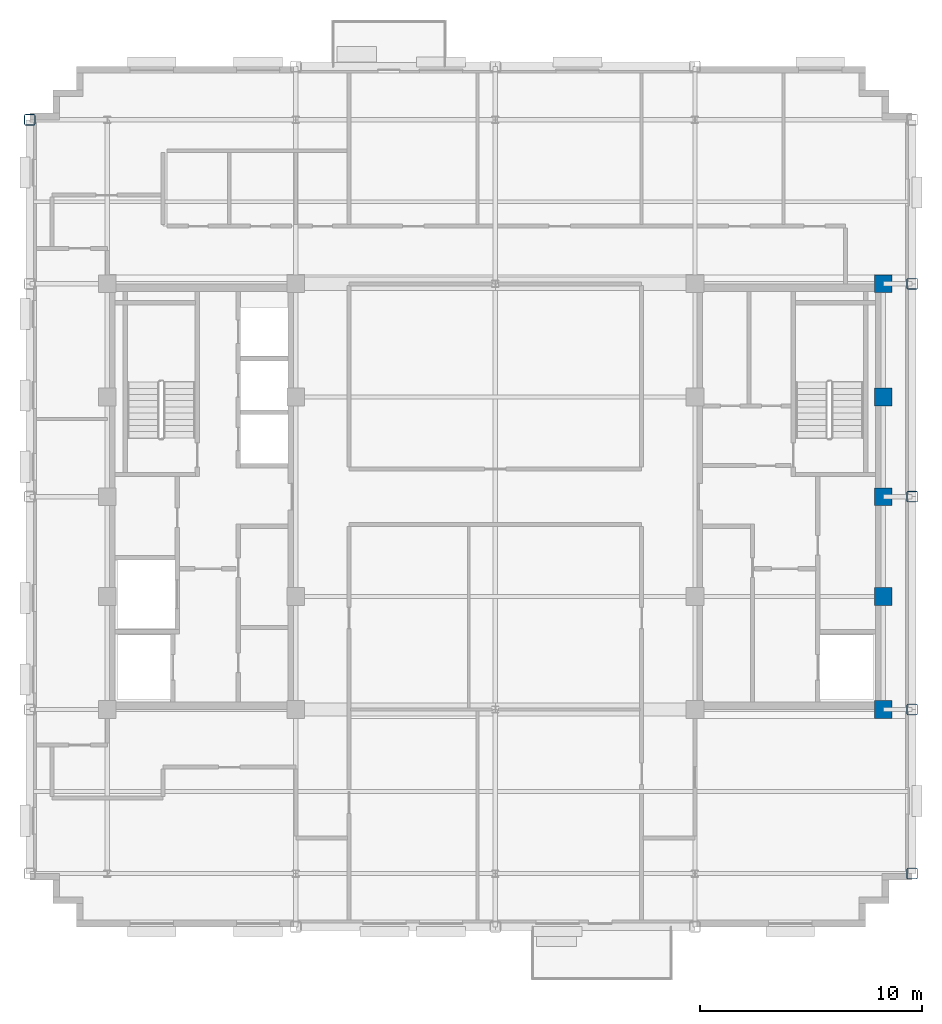
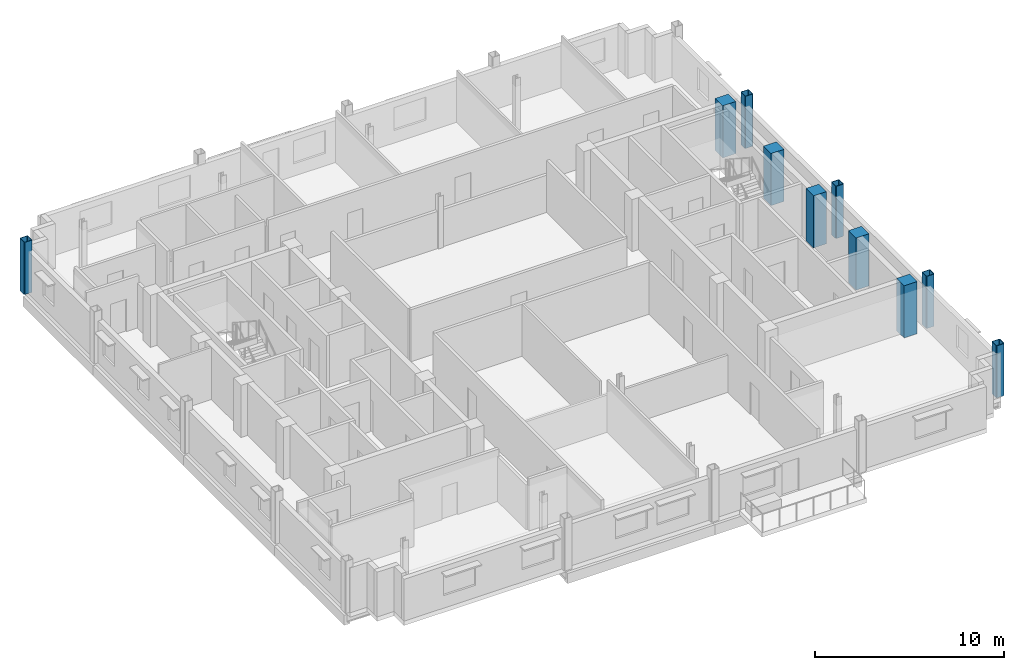
# One storey, part 2 of 13: 10 columns.
"""IFC4 building model written with IfcOpenShell, lengths in metres."""

from ifc_helpers import new_model, si_unit, direction, frame, origin, origin_2d, place, context, subcontext, project, spatial, rectangle, hollow_rectangle, extrude, material, material_profile, profile_set, type_object, element, save


model = new_model("IFC4")

# Units and contexts
model_context = context("Model", 3, precision=1e-05, world=origin(), true_north=direction((0.0, 1.0)))
body_context = subcontext(model_context, "Body", "Model", "MODEL_VIEW")
ifc_project = project(units=[si_unit("LENGTHUNIT", "METRE"), si_unit("AREAUNIT", "SQUARE_METRE"), si_unit("VOLUMEUNIT", "CUBIC_METRE"), si_unit("PLANEANGLEUNIT", "RADIAN"), si_unit("MASSUNIT", "GRAM", prefix="KILO")], contexts=[model_context])

# Site, building, storey
site_placement = place(None, origin())
site = spatial("IfcSite", under=ifc_project, at=site_placement, CompositionType="ELEMENT")
building_placement = place(site_placement, origin())
building = spatial("IfcBuilding", under=site, at=building_placement, Name="Nuvemarco Arch Tower", CompositionType="ELEMENT")
storey_placement = place(building_placement, frame((0.0, 0.0, 257.949951171875)))
storey = spatial("IfcBuildingStorey", under=building, at=storey_placement, Name="L68", CompositionType="ELEMENT", Elevation=257.949951171875)

# Columns
ifc_material_1 = material(Name="Concrete C50/60", Category="concrete")
ifc_material_profile_1 = material_profile(ifc_material_1, rectangle(XDim=0.800048828125, YDim=0.800048828125, at=origin_2d()), Name="RC-COL-800x800")
ifc_profile_set_1 = profile_set([ifc_material_profile_1], Name="Concrete C50/60")
column_type_1 = type_object("IfcColumnType", Name="COL-CORE-800", PredefinedType="COLUMN", material=ifc_profile_set_1)
for number, where, z_axis, x_axis, name in (
    (1, (17.5, -9.60009765625, 0.0), (0.0, 0.0, 1.0), (1.0, 0.0, 0.0), "L68 column CC_+17.5_-9.6"),
    (2, (17.5, -4.5, 0.0), (0.0, 0.0, 1.0), (1.0, 0.0, 0.0), "L68 column CC_+17.5_-4.5"),
    (3, (17.5, 4.5, 0.0), (0.0, 0.0, 1.0), (1.0, 0.0, 0.0), "L68 column CC_+17.5_+4.5"),
    (4, (17.5, 9.60009765625, 0.0), (0.0, 0.0, 1.0), (1.0, 0.0, 0.0), "L68 column CC_+17.5_+9.6"),
    (5, (17.5, 0.0, 0.0), (0.0, 0.0, 1.0), (1.0, 0.0, 0.0), "L68 column CC_+17.5_+0.0"),
):
    element("IfcColumn", number, at=place(storey_placement, frame(where, z_axis=z_axis, x_axis=x_axis)), inside=storey, type_object=column_type_1, Name=name, PredefinedType="COLUMN", context=body_context, shape_type="SweptSolid", body=[
        extrude(rectangle(XDim=0.800048828125, YDim=0.800048828125, at=origin_2d()), origin(), (0.0, 0.0, 1.0), 3.3701171875),
    ])
ifc_material_2 = material(Name="Steel S355", Category="steel")
ifc_material_profile_2 = material_profile(ifc_material_2, hollow_rectangle(XDim=0.5, YDim=0.5, WallThickness=0.031982421875, InnerFilletRadius=0.031982421875, OuterFilletRadius=0.06396484375, at=origin_2d()), Name="SHS500x500x32")
ifc_profile_set_2 = profile_set([ifc_material_profile_2], Name="Steel S355")
column_type_2 = type_object("IfcColumnType", Name="COL-EXO-500", PredefinedType="COLUMN", material=ifc_profile_set_2)
for number, where, z_axis, x_axis, name in (
    (6, (-21.0, 17.0, 0.0), (0.0, 0.0, 1.0), (1.0, 0.0, 0.0), "L68 column CX_-21.0_+17.0"),
    (7, (18.800048828125, -17.0, 0.0), (0.0, 0.0, 1.0), (1.0, 0.0, 0.0), "L68 column CX_+18.8_-17.0"),
    (8, (18.800048828125, -9.60009765625, 0.0), (0.0, 0.0, 1.0), (1.0, 0.0, 0.0), "L68 column CX_+18.8_-9.6"),
    (9, (18.800048828125, 0.0, 0.0), (0.0, 0.0, 1.0), (1.0, 0.0, 0.0), "L68 column CX_+18.8_+0.0"),
    (10, (18.800048828125, 9.60009765625, 0.0), (0.0, 0.0, 1.0), (1.0, 0.0, 0.0), "L68 column CX_+18.8_+9.6"),
):
    element("IfcColumn", number, at=place(storey_placement, frame(where, z_axis=z_axis, x_axis=x_axis)), inside=storey, type_object=column_type_2, Name=name, PredefinedType="COLUMN", context=body_context, shape_type="SweptSolid", body=[
        extrude(hollow_rectangle(XDim=0.5, YDim=0.5, WallThickness=0.031982421875, InnerFilletRadius=0.031982421875, OuterFilletRadius=0.06396484375, at=origin_2d()), origin(), (0.0, 0.0, 1.0), 3.3701171875),
    ])

save(model, "model.ifc")
